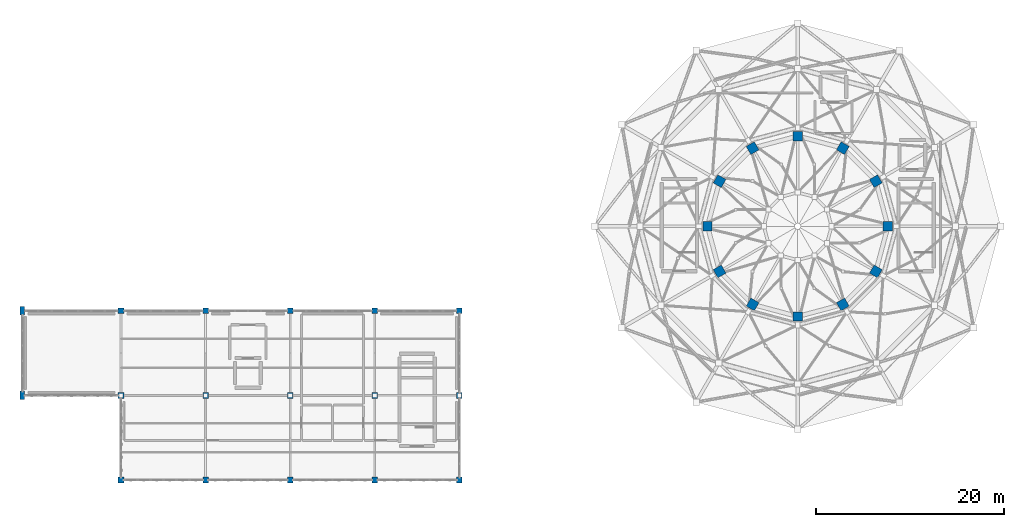
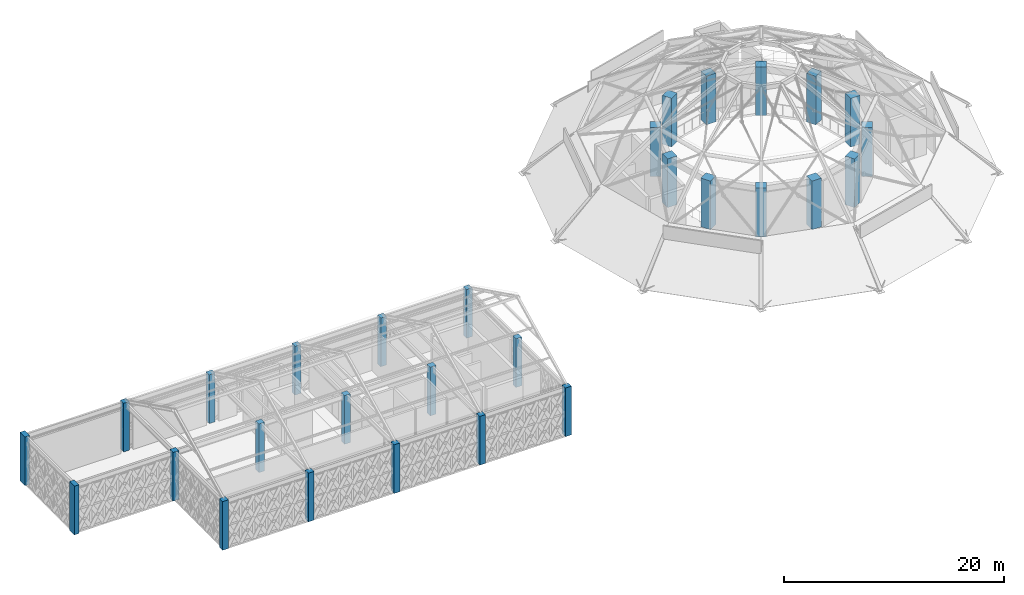
# One storey, part 1 of 32: 29 columns.
"""IFC4 building model written with IfcOpenShell, lengths in metres."""

from ifc_helpers import new_model, si_unit, direction, frame, origin, origin_2d, place, context, subcontext, project, spatial, rectangle, extrude, material, material_profile, profile_set, type_object, element, save


model = new_model("IFC4")

# Units and contexts
model_context = context("Model", 3, precision=1e-05, world=origin(), true_north=direction((0.0, 1.0)))
body_context = subcontext(model_context, "Body", "Model", "MODEL_VIEW")
ifc_project = project(units=[si_unit("LENGTHUNIT", "METRE"), si_unit("AREAUNIT", "SQUARE_METRE"), si_unit("VOLUMEUNIT", "CUBIC_METRE"), si_unit("PLANEANGLEUNIT", "RADIAN"), si_unit("MASSUNIT", "GRAM", prefix="KILO")], contexts=[model_context])

# Site, building, storey
site_placement = place(None, origin())
site = spatial("IfcSite", under=ifc_project, at=site_placement, CompositionType="ELEMENT")
building_placement = place(site_placement, origin())
building = spatial("IfcBuilding", under=site, at=building_placement, Name="Haizhuo Lancet Aquarium", CompositionType="ELEMENT")
storey_placement = place(building_placement, frame((0.0, 0.0, 27.0)))
storey = spatial("IfcBuildingStorey", under=building, at=storey_placement, Name="L05", CompositionType="ELEMENT", Elevation=27.0)

# Columns
ifc_material_1 = material(Name="Concrete C50/60", Category="concrete")
ifc_material_profile_1 = material_profile(ifc_material_1, rectangle(XDim=1.0, YDim=1.0, at=origin_2d()), Name="RC-COL 1000x1000")
ifc_profile_set_1 = profile_set([ifc_material_profile_1], Name="Concrete C50/60")
column_type_1 = type_object("IfcColumnType", Name="COL-RC-1000", PredefinedType="COLUMN", material=ifc_profile_set_1)
for number, where, z_axis, x_axis, name in (
    (1, (9.60009765625, 0.0, 0.0), (0.0, 0.0, 1.0), (1.0, 0.0, 0.0), "L05 column V1-COL-013"),
    (2, (8.31396484375, 4.800048828125, 0.0), (0.0, 0.0, 1.0), (0.866025403784, 0.5, 0.0), "L05 column V1-COL-014"),
    (3, (4.800048828125, 8.31396484375, 0.0), (0.0, 0.0, 1.0), (0.5, 0.866025403784, 0.0), "L05 column V1-COL-015"),
    (4, (0.0, 9.60009765625, 0.0), (0.0, 0.0, 1.0), (0.0, 1.0, 0.0), "L05 column V1-COL-016"),
    (5, (-4.800048828125, 8.31396484375, 0.0), (0.0, 0.0, 1.0), (-0.5, 0.866025403784, 0.0), "L05 column V1-COL-017"),
    (6, (-8.31396484375, 4.800048828125, 0.0), (0.0, 0.0, 1.0), (-0.866025403784, 0.5, 0.0), "L05 column V1-COL-018"),
    (7, (-9.60009765625, 0.0, 0.0), (0.0, 0.0, 1.0), (-1.0, 0.0, 0.0), "L05 column V1-COL-019"),
    (8, (-8.31396484375, -4.800048828125, 0.0), (0.0, 0.0, 1.0), (-0.866025403784, -0.5, 0.0), "L05 column V1-COL-020"),
    (9, (-4.800048828125, -8.31396484375, 0.0), (0.0, 0.0, 1.0), (-0.5, -0.866025403784, 0.0), "L05 column V1-COL-021"),
    (10, (0.0, -9.60009765625, 0.0), (0.0, 0.0, 1.0), (0.0, -1.0, 0.0), "L05 column V1-COL-022"),
    (11, (4.800048828125, -8.31396484375, 0.0), (0.0, 0.0, 1.0), (0.5, -0.866025403784, 0.0), "L05 column V1-COL-023"),
    (12, (8.31396484375, -4.800048828125, 0.0), (0.0, 0.0, 1.0), (0.866025403784, -0.5, 0.0), "L05 column V1-COL-024"),
):
    element("IfcColumn", number, at=place(storey_placement, frame(where, z_axis=z_axis, x_axis=x_axis)), inside=storey, type_object=column_type_1, Name=name, PredefinedType="COLUMN", context=body_context, shape_type="SweptSolid", body=[
        extrude(rectangle(XDim=1.0, YDim=1.0, at=origin_2d()), origin(), (0.0, 0.0, 1.0), 5.39990234375),
    ])
ifc_material_2 = material(Name="Concrete C40/50", Category="concrete")
ifc_material_profile_2 = material_profile(ifc_material_2, rectangle(XDim=0.60009765625, YDim=0.60009765625, at=origin_2d()), Name="RC-COL 600x600")
ifc_profile_set_2 = profile_set([ifc_material_profile_2], Name="Concrete C40/50")
column_type_2 = type_object("IfcColumnType", Name="COL-RC-600", PredefinedType="COLUMN", material=ifc_profile_set_2)
for number, where, z_axis, x_axis, name in (
    (13, (-72.0, -27.0, 0.0), (0.0, 0.0, 1.0), (1.0, 0.0, 0.0), "L05 column V6-COL-110"),
    (14, (-72.0, -18.0, 0.0), (0.0, 0.0, 1.0), (1.0, 0.0, 0.0), "L05 column V6-COL-111"),
    (15, (-72.0, -9.0, 0.0), (0.0, 0.0, 1.0), (1.0, 0.0, 0.0), "L05 column V6-COL-112"),
    (16, (-63.0, -27.0, 0.0), (0.0, 0.0, 1.0), (1.0, 0.0, 0.0), "L05 column V6-COL-113"),
    (17, (-63.0, -18.0, 0.0), (0.0, 0.0, 1.0), (1.0, 0.0, 0.0), "L05 column V6-COL-114"),
    (18, (-63.0, -9.0, 0.0), (0.0, 0.0, 1.0), (1.0, 0.0, 0.0), "L05 column V6-COL-115"),
    (19, (-54.0, -27.0, 0.0), (0.0, 0.0, 1.0), (1.0, 0.0, 0.0), "L05 column V6-COL-117"),
    (20, (-54.0, -18.0, 0.0), (0.0, 0.0, 1.0), (1.0, 0.0, 0.0), "L05 column V6-COL-118"),
    (21, (-54.0, -9.0, 0.0), (0.0, 0.0, 1.0), (1.0, 0.0, 0.0), "L05 column V6-COL-119"),
    (22, (-45.0, -27.0, 0.0), (0.0, 0.0, 1.0), (1.0, 0.0, 0.0), "L05 column V6-COL-121"),
    (23, (-45.0, -18.0, 0.0), (0.0, 0.0, 1.0), (1.0, 0.0, 0.0), "L05 column V6-COL-122"),
    (24, (-45.0, -9.0, 0.0), (0.0, 0.0, 1.0), (1.0, 0.0, 0.0), "L05 column V6-COL-123"),
    (25, (-36.0, -27.0, 0.0), (0.0, 0.0, 1.0), (1.0, 0.0, 0.0), "L05 column V6-COL-125"),
    (26, (-36.0, -18.0, 0.0), (0.0, 0.0, 1.0), (1.0, 0.0, 0.0), "L05 column V6-COL-126"),
    (27, (-36.0, -9.0, 0.0), (0.0, 0.0, 1.0), (1.0, 0.0, 0.0), "L05 column V6-COL-127"),
):
    element("IfcColumn", number, at=place(storey_placement, frame(where, z_axis=z_axis, x_axis=x_axis)), inside=storey, type_object=column_type_2, Name=name, PredefinedType="COLUMN", context=body_context, shape_type="SweptSolid", body=[
        extrude(rectangle(XDim=0.60009765625, YDim=0.60009765625, at=origin_2d()), origin(), (0.0, 0.0, 1.0), 5.39990234375),
    ])
ifc_material_3 = material(Name="Concrete C45/55", Category="concrete")
ifc_material_profile_3 = material_profile(ifc_material_3, rectangle(XDim=0.5, YDim=0.89990234375, at=origin_2d()), Name="RC-PIL 500x900")
ifc_profile_set_3 = profile_set([ifc_material_profile_3], Name="Concrete C45/55")
column_type_3 = type_object("IfcColumnType", Name="PIL-RC-500x900", PredefinedType="PILASTER", material=ifc_profile_set_3)
for number, where, z_axis, x_axis, name in (
    (28, (-82.5, -18.0, 0.0), (0.0, 0.0, 1.0), (1.0, 0.0, 0.0), "L05 column V6-COL-108"),
    (29, (-82.5, -9.0, 0.0), (0.0, 0.0, 1.0), (1.0, 0.0, 0.0), "L05 column V6-COL-109"),
):
    element("IfcColumn", number, at=place(storey_placement, frame(where, z_axis=z_axis, x_axis=x_axis)), inside=storey, type_object=column_type_3, Name=name, PredefinedType="PILASTER", context=body_context, shape_type="SweptSolid", body=[
        extrude(rectangle(XDim=0.5, YDim=0.89990234375, at=origin_2d()), origin(), (0.0, 0.0, 1.0), 5.39990234375),
    ])

save(model, "model.ifc")
